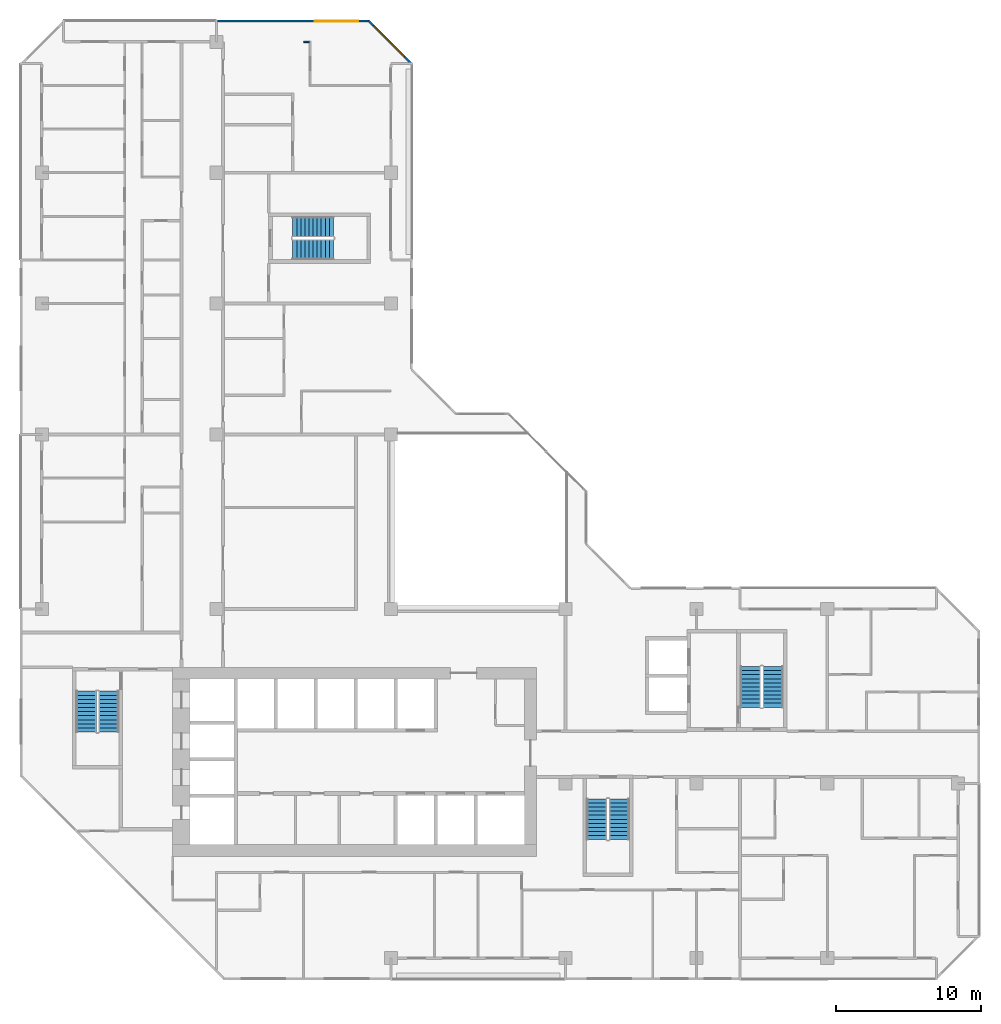
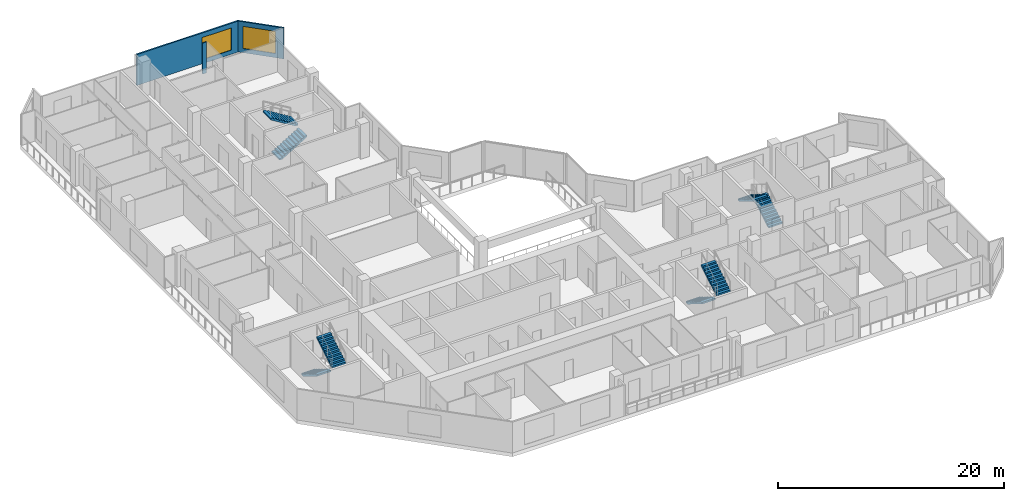
# One storey, part 13 of 15: 8 stair flights, 3 walls, 2 windows, 2 openings, 4 elements without a shape of their own.
"""IFC4 building model written with IfcOpenShell, lengths in metres."""

from ifc_helpers import new_model, si_unit, direction, frame, frame_2d, origin, place, context, subcontext, project, spatial, polyline, rectangle, outline, extrude, material, layer, layer_set, type_object, element, fill, aggregate, save


model = new_model("IFC4")

# Units and contexts
model_context = context("Model", 3, precision=1e-05, world=origin(), true_north=direction((0.0, 1.0)))
body_context = subcontext(model_context, "Body", "Model", "MODEL_VIEW")
ifc_project = project(units=[si_unit("LENGTHUNIT", "METRE"), si_unit("AREAUNIT", "SQUARE_METRE"), si_unit("VOLUMEUNIT", "CUBIC_METRE"), si_unit("PLANEANGLEUNIT", "RADIAN"), si_unit("MASSUNIT", "GRAM", prefix="KILO")], contexts=[model_context])

# Site, building, storey
site_placement = place(None, origin())
site = spatial("IfcSite", under=ifc_project, at=site_placement, CompositionType="ELEMENT")
building_placement = place(site_placement, origin())
building = spatial("IfcBuilding", under=site, at=building_placement, Name="Chenar Terraces", CompositionType="ELEMENT")
storey_placement = place(building_placement, frame((0.0, 0.0, 191.14990234375)))
storey = spatial("IfcBuildingStorey", under=building, at=storey_placement, Name="L44", CompositionType="ELEMENT", Elevation=191.14990234375)

# Wall, opening, window
ifc_material_1 = material(Name="Aluminium framed glazing", Category="aluminium")
ifc_layer_1 = layer(ifc_material_1, 0.14990234375)
ifc_layer_set_1 = layer_set([ifc_layer_1], Name="Aluminium framed glazing")
wall_type_1 = type_object("IfcWallType", Name="Glazed flush facade wall 150", PredefinedType="SOLIDWALL", material=ifc_layer_set_1)
wall_1_placement = place(storey_placement, frame((22.5, 64.425048828125, 0.0), z_axis=(0.0, 0.0, 1.0), x_axis=(-1.0, 0.0, 0.0)))
wall_1 = element("IfcWall", 1, at=wall_1_placement, inside=storey, type_object=wall_type_1, Name="Glazed flush facade wall", PredefinedType="SOLIDWALL", context=body_context, shape_type="SweptSolid", body=[
    extrude(rectangle(XDim=10.425048828125, YDim=0.14990234375, at=frame_2d((5.21240234375, 0.0))), origin(), (0.0, 0.0, 1.0), 3.35009765625),
])
opening_1_placement = place(wall_1_placement, frame((0.75, 0.0, 0.449951171875)))
opening_1 = element("IfcOpeningElement", 2, at=opening_1_placement, cuts=wall_1, Name="Opening W300x240", PredefinedType="OPENING", context=body_context, shape_type="SweptSolid", body=[
    extrude(rectangle(XDim=3.0, YDim=2.39990234375, at=frame_2d((1.5, 1.199951171875))), frame((0.0, 0.0849609375, 0.0), z_axis=(0.0, -1.0, 0.0), x_axis=(1.0, 0.0, 0.0)), (0.0, 0.0, 1.0), 0.169921875),
])
ifc_material_2 = material(Name="Low emissivity double glazing, aluminium frame", Category="aluminium")
window_type = type_object("IfcWindowType", Name="Fixed light 3000 x 2400", PartitioningType="SINGLE_PANEL", PredefinedType="WINDOW", material=ifc_material_2)
window_1_placement = place(opening_1_placement, origin())
window_1 = element("IfcWindow", 3, at=window_1_placement, inside=storey, type_object=window_type, Name="Window", OverallHeight=2.39990234375, OverallWidth=3.0, PartitioningType="SINGLE_PANEL", PredefinedType="WINDOW", context=body_context, shape_type="SweptSolid", body=[
    extrude(rectangle(XDim=3.0, YDim=2.39990234375, at=frame_2d((1.5, 1.199951171875))), frame((0.0, 0.030029296875, 0.0), z_axis=(0.0, -1.0, 0.0), x_axis=(1.0, 0.0, 0.0)), (0.0, 0.0, 1.0), 0.06005859375),
])
fill(opening_1, window_1)

# Wall
ifc_material_3 = material(Name="Gypsum board on steel studs", Category="steel")
ifc_layer_2 = layer(ifc_material_3, 0.10009765625)
ifc_layer_set_2 = layer_set([ifc_layer_2], Name="Gypsum board on steel studs")
wall_type_2 = type_object("IfcWallType", Name="Gypsum partition 100", PredefinedType="PARTITIONING", material=ifc_layer_set_2)
wall_2_placement = place(storey_placement, frame((18.0, 63.0, 0.0), z_axis=(0.0, 0.0, 1.0), x_axis=(1.0, 0.0, 0.0)))
element("IfcWall", 4, at=wall_2_placement, inside=storey, type_object=wall_type_2, Name="Partition L44-051", PredefinedType="PARTITIONING", context=body_context, shape_type="SweptSolid", body=[
    extrude(rectangle(XDim=0.39990234375, YDim=0.10009765625, at=frame_2d((0.199951171875, 0.0))), origin(), (0.0, 0.0, 1.0), 3.35009765625),
])

# Wall, opening, window
ifc_material_4 = material(Name="Terracotta cladding on insulated backing", Category="masonry")
ifc_layer_3 = layer(ifc_material_4, 0.14990234375)
ifc_layer_set_3 = layer_set([ifc_layer_3], Name="Terracotta cladding on insulated backing")
wall_type_3 = type_object("IfcWallType", Name="Terracotta rainscreen wall 150", PredefinedType="SOLIDWALL", material=ifc_layer_set_3)
wall_3_placement = place(storey_placement, frame((25.447021484375, 61.447021484375, 0.0), z_axis=(0.0, 0.0, 1.0), x_axis=(-0.707106781187, 0.707106781187, 0.0)))
wall_3 = element("IfcWall", 5, at=wall_3_placement, inside=storey, type_object=wall_type_3, Name="Terracotta rainscreen wall", PredefinedType="SOLIDWALL", context=body_context, shape_type="SweptSolid", body=[
    extrude(rectangle(XDim=4.24267578125, YDim=0.14990234375, at=frame_2d((2.121337890625, 0.0))), origin(), (0.0, 0.0, 1.0), 3.35009765625),
])
opening_2_placement = place(wall_3_placement, frame((0.744384765625, 0.0, 0.449951171875)))
opening_2 = element("IfcOpeningElement", 6, at=opening_2_placement, cuts=wall_3, Name="Opening W300x240", PredefinedType="OPENING", context=body_context, shape_type="SweptSolid", body=[
    extrude(rectangle(XDim=3.0, YDim=2.39990234375, at=frame_2d((1.5, 1.199951171875))), frame((0.0, 0.0849609375, 0.0), z_axis=(0.0, -1.0, 0.0), x_axis=(1.0, 0.0, 0.0)), (0.0, 0.0, 1.0), 0.169921875),
])
window_2_placement = place(opening_2_placement, origin())
window_2 = element("IfcWindow", 7, at=window_2_placement, inside=storey, type_object=window_type, Name="Window", OverallHeight=2.39990234375, OverallWidth=3.0, PartitioningType="SINGLE_PANEL", PredefinedType="WINDOW", context=body_context, shape_type="SweptSolid", body=[
    extrude(rectangle(XDim=3.0, YDim=2.39990234375, at=frame_2d((1.5, 1.199951171875))), frame((0.0, 0.030029296875, 0.0), z_axis=(0.0, -1.0, 0.0), x_axis=(1.0, 0.0, 0.0)), (0.0, 0.0, 1.0), 0.06005859375),
])
fill(opening_2, window_2)

# Stair, stair flights
ifc_material_5 = material(Name="Reinforced concrete C40/50", Category="concrete")
stair_type = type_object("IfcStairType", Name="Core stair 1400 half-turn", PredefinedType="HALF_TURN_STAIR", material=ifc_material_5)
placement = place(storey_placement, origin())
stair_1 = element("IfcStair", 8, at=placement, inside=storey, type_object=stair_type, Name="L44 Stair 1", PredefinedType="HALF_TURN_STAIR")
ifc_material_6 = material(Name="Reinforced concrete C40/50", Category="concrete")
stair_flight_type = type_object("IfcStairFlightType", Name="Core stair flight 1400", PredefinedType="STRAIGHT", material=ifc_material_6)
stair_flight_1_placement = place(storey_placement, frame((3.050048828125, 18.35009765625, 0.0), z_axis=(0.0, 0.0, 1.0), x_axis=(0.0, -1.0, 0.0)))
stair_flight_1 = element("IfcStairFlight", 9, at=stair_flight_1_placement, type_object=stair_flight_type, Name="ST1 flight 1", NumberOfRisers=11, NumberOfTreads=10, PredefinedType="STRAIGHT", RiserHeight=0.170454545, TreadLength=0.28, context=body_context, shape_type="SweptSolid", body=[
    extrude(outline(polyline([(-0.0029296875, 0.0), (-0.0029296875, 0.17041015625), (0.0, 0.17041015625), (0.280029296875, 0.17041015625), (0.280029296875, 0.3408203125), (0.56005859375, 0.3408203125), (0.56005859375, 0.511474609375), (0.840087890625, 0.511474609375), (0.840087890625, 0.681884765625), (1.1201171875, 0.681884765625), (1.1201171875, 0.852294921875), (1.39990234375, 0.852294921875), (1.39990234375, 1.022705078125), (1.679931640625, 1.022705078125), (1.679931640625, 1.193115234375), (1.9599609375, 1.193115234375), (1.9599609375, 1.363525390625), (2.239990234375, 1.363525390625), (2.239990234375, 1.5341796875), (2.52001953125, 1.5341796875), (2.52001953125, 1.70458984375), (2.800048828125, 1.70458984375), (2.802978515625, 1.70458984375), (2.802978515625, 1.529052734375), (2.800048828125, 1.529052734375), (0.288330078125, 0.0), (-0.0029296875, 0.0)])), frame((0.0, 0.699951171875, 0.0), z_axis=(0.0, -1.0, 0.0), x_axis=(1.0, 0.0, 0.0)), (0.0, 0.0, 1.0), 1.39990234375),
])
stair_flight_2_placement = place(storey_placement, frame((4.60009765625, 15.550048828125, 1.875), z_axis=(0.0, 0.0, 1.0), x_axis=(0.0, 1.0, 0.0)))
stair_flight_2 = element("IfcStairFlight", 10, at=stair_flight_2_placement, type_object=stair_flight_type, Name="ST1 flight 2", NumberOfRisers=11, NumberOfTreads=10, PredefinedType="STRAIGHT", RiserHeight=0.170454545, TreadLength=0.28, context=body_context, shape_type="SweptSolid", body=[
    extrude(outline(polyline([(-0.0029296875, 0.0), (-0.0029296875, 0.17041015625), (0.0, 0.17041015625), (0.280029296875, 0.17041015625), (0.280029296875, 0.3408203125), (0.56005859375, 0.3408203125), (0.56005859375, 0.511474609375), (0.840087890625, 0.511474609375), (0.840087890625, 0.681884765625), (1.1201171875, 0.681884765625), (1.1201171875, 0.852294921875), (1.39990234375, 0.852294921875), (1.39990234375, 1.022705078125), (1.679931640625, 1.022705078125), (1.679931640625, 1.193115234375), (1.9599609375, 1.193115234375), (1.9599609375, 1.363525390625), (2.239990234375, 1.363525390625), (2.239990234375, 1.5341796875), (2.52001953125, 1.5341796875), (2.52001953125, 1.70458984375), (2.800048828125, 1.70458984375), (2.802978515625, 1.70458984375), (2.802978515625, 1.529052734375), (2.800048828125, 1.529052734375), (0.288330078125, 0.0), (-0.0029296875, 0.0)])), frame((0.0, 0.699951171875, 0.0), z_axis=(0.0, -1.0, 0.0), x_axis=(1.0, 0.0, 0.0)), (0.0, 0.0, 1.0), 1.39990234375),
])
aggregate(stair_1, [stair_flight_1, stair_flight_2])

stair_2 = element("IfcStair", 11, at=placement, inside=storey, type_object=stair_type, Name="L44 Stair 2", PredefinedType="HALF_TURN_STAIR")
stair_flight_3_placement = place(storey_placement, frame((38.14990234375, 10.949951171875, 0.0), z_axis=(0.0, 0.0, 1.0), x_axis=(0.0, -1.0, 0.0)))
stair_flight_3 = element("IfcStairFlight", 12, at=stair_flight_3_placement, type_object=stair_flight_type, Name="ST2 flight 1", NumberOfRisers=11, NumberOfTreads=10, PredefinedType="STRAIGHT", RiserHeight=0.170454545, TreadLength=0.28, context=body_context, shape_type="SweptSolid", body=[
    extrude(outline(polyline([(-0.0029296875, 0.0), (-0.0029296875, 0.17041015625), (0.0, 0.17041015625), (0.280029296875, 0.17041015625), (0.280029296875, 0.3408203125), (0.56005859375, 0.3408203125), (0.56005859375, 0.511474609375), (0.840087890625, 0.511474609375), (0.840087890625, 0.681884765625), (1.1201171875, 0.681884765625), (1.1201171875, 0.852294921875), (1.39990234375, 0.852294921875), (1.39990234375, 1.022705078125), (1.679931640625, 1.022705078125), (1.679931640625, 1.193115234375), (1.9599609375, 1.193115234375), (1.9599609375, 1.363525390625), (2.239990234375, 1.363525390625), (2.239990234375, 1.5341796875), (2.52001953125, 1.5341796875), (2.52001953125, 1.70458984375), (2.800048828125, 1.70458984375), (2.802978515625, 1.70458984375), (2.802978515625, 1.529052734375), (2.800048828125, 1.529052734375), (0.288330078125, 0.0), (-0.0029296875, 0.0)])), frame((0.0, 0.699951171875, 0.0), z_axis=(0.0, -1.0, 0.0), x_axis=(1.0, 0.0, 0.0)), (0.0, 0.0, 1.0), 1.39990234375),
])
stair_flight_4_placement = place(storey_placement, frame((39.699951171875, 8.14990234375, 1.875), z_axis=(0.0, 0.0, 1.0), x_axis=(0.0, 1.0, 0.0)))
stair_flight_4 = element("IfcStairFlight", 13, at=stair_flight_4_placement, type_object=stair_flight_type, Name="ST2 flight 2", NumberOfRisers=11, NumberOfTreads=10, PredefinedType="STRAIGHT", RiserHeight=0.170454545, TreadLength=0.28, context=body_context, shape_type="SweptSolid", body=[
    extrude(outline(polyline([(-0.0029296875, 0.0), (-0.0029296875, 0.17041015625), (0.0, 0.17041015625), (0.280029296875, 0.17041015625), (0.280029296875, 0.3408203125), (0.56005859375, 0.3408203125), (0.56005859375, 0.511474609375), (0.840087890625, 0.511474609375), (0.840087890625, 0.681884765625), (1.1201171875, 0.681884765625), (1.1201171875, 0.852294921875), (1.39990234375, 0.852294921875), (1.39990234375, 1.022705078125), (1.679931640625, 1.022705078125), (1.679931640625, 1.193115234375), (1.9599609375, 1.193115234375), (1.9599609375, 1.363525390625), (2.239990234375, 1.363525390625), (2.239990234375, 1.5341796875), (2.52001953125, 1.5341796875), (2.52001953125, 1.70458984375), (2.800048828125, 1.70458984375), (2.802978515625, 1.70458984375), (2.802978515625, 1.529052734375), (2.800048828125, 1.529052734375), (0.288330078125, 0.0), (-0.0029296875, 0.0)])), frame((0.0, 0.699951171875, 0.0), z_axis=(0.0, -1.0, 0.0), x_axis=(1.0, 0.0, 0.0)), (0.0, 0.0, 1.0), 1.39990234375),
])
aggregate(stair_2, [stair_flight_3, stair_flight_4])

stair_3 = element("IfcStair", 14, at=placement, inside=storey, type_object=stair_type, Name="L44 Stair 3", PredefinedType="HALF_TURN_STAIR")
stair_flight_5_placement = place(storey_placement, frame((50.27490234375, 17.25, 0.0), z_axis=(0.0, 0.0, 1.0), x_axis=(0.0, 1.0, 0.0)))
stair_flight_5 = element("IfcStairFlight", 15, at=stair_flight_5_placement, type_object=stair_flight_type, Name="ST3 flight 1", NumberOfRisers=11, NumberOfTreads=10, PredefinedType="STRAIGHT", RiserHeight=0.170454545, TreadLength=0.28, context=body_context, shape_type="SweptSolid", body=[
    extrude(outline(polyline([(-0.0029296875, 0.0), (-0.0029296875, 0.17041015625), (0.0, 0.17041015625), (0.280029296875, 0.17041015625), (0.280029296875, 0.3408203125), (0.56005859375, 0.3408203125), (0.56005859375, 0.511474609375), (0.840087890625, 0.511474609375), (0.840087890625, 0.681884765625), (1.1201171875, 0.681884765625), (1.1201171875, 0.852294921875), (1.39990234375, 0.852294921875), (1.39990234375, 1.022705078125), (1.679931640625, 1.022705078125), (1.679931640625, 1.193115234375), (1.9599609375, 1.193115234375), (1.9599609375, 1.363525390625), (2.239990234375, 1.363525390625), (2.239990234375, 1.5341796875), (2.52001953125, 1.5341796875), (2.52001953125, 1.70458984375), (2.800048828125, 1.70458984375), (2.802978515625, 1.70458984375), (2.802978515625, 1.529052734375), (2.800048828125, 1.529052734375), (0.288330078125, 0.0), (-0.0029296875, 0.0)])), frame((0.0, 0.699951171875, 0.0), z_axis=(0.0, -1.0, 0.0), x_axis=(1.0, 0.0, 0.0)), (0.0, 0.0, 1.0), 1.39990234375),
])
stair_flight_6_placement = place(storey_placement, frame((48.72509765625, 20.050048828125, 1.875), z_axis=(0.0, 0.0, 1.0), x_axis=(0.0, -1.0, 0.0)))
stair_flight_6 = element("IfcStairFlight", 16, at=stair_flight_6_placement, type_object=stair_flight_type, Name="ST3 flight 2", NumberOfRisers=11, NumberOfTreads=10, PredefinedType="STRAIGHT", RiserHeight=0.170454545, TreadLength=0.28, context=body_context, shape_type="SweptSolid", body=[
    extrude(outline(polyline([(-0.0029296875, 0.0), (-0.0029296875, 0.17041015625), (0.0, 0.17041015625), (0.280029296875, 0.17041015625), (0.280029296875, 0.3408203125), (0.56005859375, 0.3408203125), (0.56005859375, 0.511474609375), (0.840087890625, 0.511474609375), (0.840087890625, 0.681884765625), (1.1201171875, 0.681884765625), (1.1201171875, 0.852294921875), (1.39990234375, 0.852294921875), (1.39990234375, 1.022705078125), (1.679931640625, 1.022705078125), (1.679931640625, 1.193115234375), (1.9599609375, 1.193115234375), (1.9599609375, 1.363525390625), (2.239990234375, 1.363525390625), (2.239990234375, 1.5341796875), (2.52001953125, 1.5341796875), (2.52001953125, 1.70458984375), (2.800048828125, 1.70458984375), (2.802978515625, 1.70458984375), (2.802978515625, 1.529052734375), (2.800048828125, 1.529052734375), (0.288330078125, 0.0), (-0.0029296875, 0.0)])), frame((0.0, 0.699951171875, 0.0), z_axis=(0.0, -1.0, 0.0), x_axis=(1.0, 0.0, 0.0)), (0.0, 0.0, 1.0), 1.39990234375),
])
aggregate(stair_3, [stair_flight_5, stair_flight_6])

stair_4 = element("IfcStair", 17, at=placement, inside=storey, type_object=stair_type, Name="L44 Stair 4", PredefinedType="HALF_TURN_STAIR")
stair_flight_7_placement = place(storey_placement, frame((17.25, 48.72509765625, 0.0), z_axis=(0.0, 0.0, 1.0), x_axis=(1.0, 0.0, 0.0)))
stair_flight_7 = element("IfcStairFlight", 18, at=stair_flight_7_placement, type_object=stair_flight_type, Name="ST4 flight 1", NumberOfRisers=11, NumberOfTreads=10, PredefinedType="STRAIGHT", RiserHeight=0.170454545, TreadLength=0.28, context=body_context, shape_type="SweptSolid", body=[
    extrude(outline(polyline([(-0.0029296875, 0.0), (-0.0029296875, 0.17041015625), (0.0, 0.17041015625), (0.280029296875, 0.17041015625), (0.280029296875, 0.3408203125), (0.56005859375, 0.3408203125), (0.56005859375, 0.511474609375), (0.840087890625, 0.511474609375), (0.840087890625, 0.681884765625), (1.1201171875, 0.681884765625), (1.1201171875, 0.852294921875), (1.39990234375, 0.852294921875), (1.39990234375, 1.022705078125), (1.679931640625, 1.022705078125), (1.679931640625, 1.193115234375), (1.9599609375, 1.193115234375), (1.9599609375, 1.363525390625), (2.239990234375, 1.363525390625), (2.239990234375, 1.5341796875), (2.52001953125, 1.5341796875), (2.52001953125, 1.70458984375), (2.800048828125, 1.70458984375), (2.802978515625, 1.70458984375), (2.802978515625, 1.529052734375), (2.800048828125, 1.529052734375), (0.288330078125, 0.0), (-0.0029296875, 0.0)])), frame((0.0, 0.699951171875, 0.0), z_axis=(0.0, -1.0, 0.0), x_axis=(1.0, 0.0, 0.0)), (0.0, 0.0, 1.0), 1.39990234375),
])
stair_flight_8_placement = place(storey_placement, frame((20.050048828125, 50.27490234375, 1.875), z_axis=(0.0, 0.0, 1.0), x_axis=(-1.0, 0.0, 0.0)))
stair_flight_8 = element("IfcStairFlight", 19, at=stair_flight_8_placement, type_object=stair_flight_type, Name="ST4 flight 2", NumberOfRisers=11, NumberOfTreads=10, PredefinedType="STRAIGHT", RiserHeight=0.170454545, TreadLength=0.28, context=body_context, shape_type="SweptSolid", body=[
    extrude(outline(polyline([(-0.0029296875, 0.0), (-0.0029296875, 0.17041015625), (0.0, 0.17041015625), (0.280029296875, 0.17041015625), (0.280029296875, 0.3408203125), (0.56005859375, 0.3408203125), (0.56005859375, 0.511474609375), (0.840087890625, 0.511474609375), (0.840087890625, 0.681884765625), (1.1201171875, 0.681884765625), (1.1201171875, 0.852294921875), (1.39990234375, 0.852294921875), (1.39990234375, 1.022705078125), (1.679931640625, 1.022705078125), (1.679931640625, 1.193115234375), (1.9599609375, 1.193115234375), (1.9599609375, 1.363525390625), (2.239990234375, 1.363525390625), (2.239990234375, 1.5341796875), (2.52001953125, 1.5341796875), (2.52001953125, 1.70458984375), (2.800048828125, 1.70458984375), (2.802978515625, 1.70458984375), (2.802978515625, 1.529052734375), (2.800048828125, 1.529052734375), (0.288330078125, 0.0), (-0.0029296875, 0.0)])), frame((0.0, 0.699951171875, 0.0), z_axis=(0.0, -1.0, 0.0), x_axis=(1.0, 0.0, 0.0)), (0.0, 0.0, 1.0), 1.39990234375),
])
aggregate(stair_4, [stair_flight_7, stair_flight_8])

save(model, "model.ifc")
